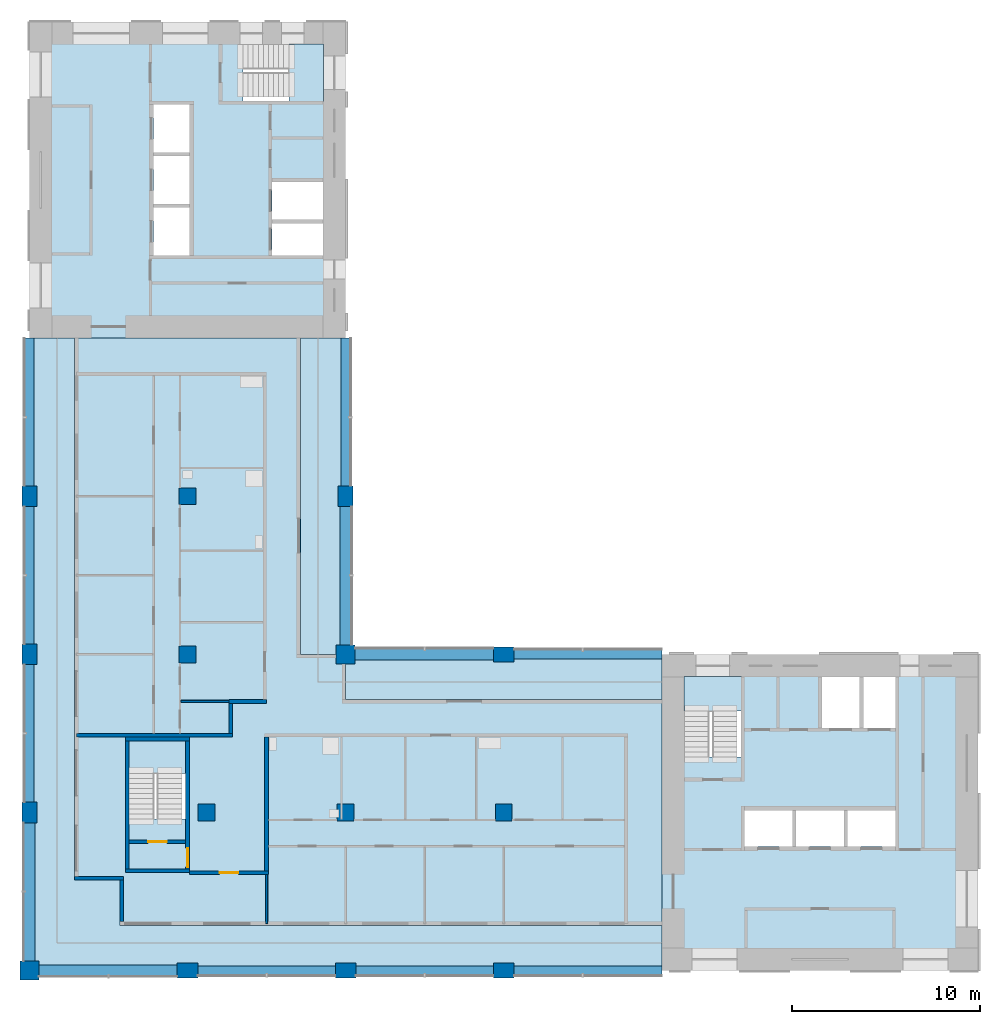
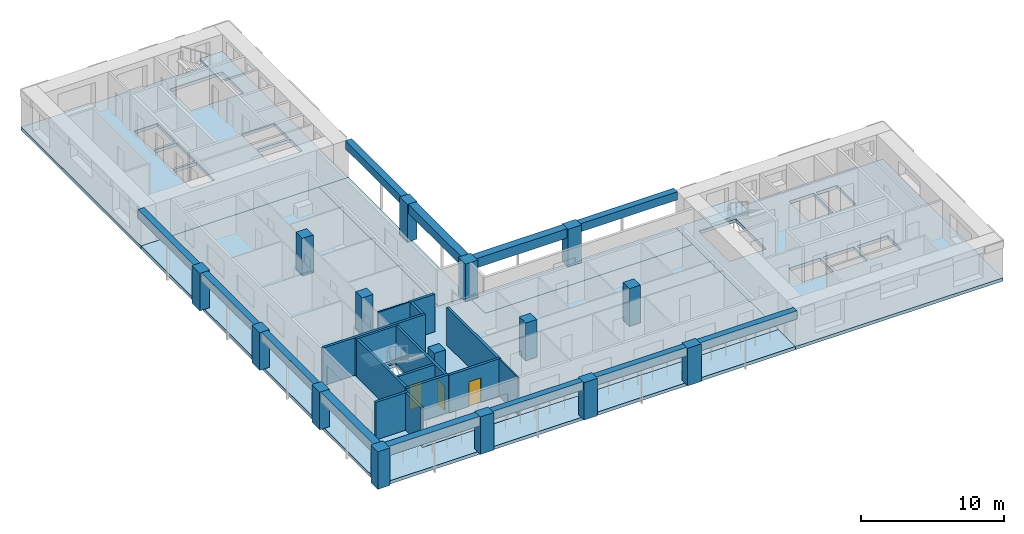
# One storey, part 1 of 9: 15 columns, 14 walls, 12 beams, 10 slabs, 3 doors, 3 openings, 3 elements without a shape of their own.
"""IFC4 building model written with IfcOpenShell, lengths in metres."""

import ifcopenshell
import ifcopenshell.guid

model = None  # the IFC model being written
_history = None  # IfcOwnerHistory: only IFC2X3 demands one
_inside = {}  # id of a spatial element -> (the spatial element, [elements in it])
_under = {}  # id of a project, library or spatial element -> (it, [spatial elements below it])
_declared = {}  # id of a project -> (the project, [libraries it declares])
_typed = {}  # id of a type object -> (the type object, [elements of that type])
_made_of = {}  # id of a material, layer set ... -> (it, [elements and type objects made of it])


def new_model(schema):
    """Start an empty IFC model of exactly this schema.

    Asked for "IFC4X3", IfcOpenShell would pick the latest addendum, in which some entities
    have other attributes; the version numbers below select the first issue.
    IFC2X3 requires an IfcOwnerHistory on every rooted entity: one is made here for all.
    """
    global model, _history
    if schema == "IFC4X3":
        model = ifcopenshell.file(schema_version=(4, 3, 0, 0))
    else:
        model = ifcopenshell.file(schema=schema)
    _inside.clear()
    _under.clear()
    _declared.clear()
    _typed.clear()
    _made_of.clear()
    _history = None
    if model.schema == "IFC2X3":
        org = make("IfcOrganization", Name="unknown")
        user = make(
            "IfcPersonAndOrganization",
            ThePerson=make("IfcPerson", FamilyName="unknown"),
            TheOrganization=org,
        )
        app = make(
            "IfcApplication",
            ApplicationDeveloper=org,
            Version="unknown",
            ApplicationFullName="unknown",
            ApplicationIdentifier="unknown",
        )
        _history = make(
            "IfcOwnerHistory",
            OwningUser=user,
            OwningApplication=app,
            ChangeAction="ADDED",
            CreationDate=0,
        )
    return model


def make(cls, **values):
    """One entity of the class cls with the attributes given. An attribute that is None is left unset."""
    return model.create_entity(
        cls, **{name: value for name, value in values.items() if value is not None}
    )


def rooted(cls, **values):
    """An entity with a GlobalId (a new one), such as an element, a storey or a relation."""
    return make(cls, GlobalId=ifcopenshell.guid.new(), OwnerHistory=_history, **values)


def si_unit(unit_type, name, prefix=None):
    """IfcSIUnit, for example si_unit("LENGTHUNIT", "METRE", prefix="MILLI")."""
    return make("IfcSIUnit", UnitType=unit_type, Prefix=prefix, Name=name)


def assignment(units):
    """IfcUnitAssignment: the units of a project."""
    return None if units is None else make("IfcUnitAssignment", Units=units)


def point(xyz):
    """IfcCartesianPoint."""
    return None if xyz is None else make("IfcCartesianPoint", Coordinates=xyz)


def direction(xyz):
    """IfcDirection."""
    return None if xyz is None else make("IfcDirection", DirectionRatios=xyz)


def frame(location, z_axis=None, x_axis=None):
    """IfcAxis2Placement3D, a coordinate frame: its origin and axes. An axis left out is left unset."""
    return make(
        "IfcAxis2Placement3D",
        Location=point(location),
        Axis=direction(z_axis),
        RefDirection=direction(x_axis),
    )


def frame_2d(location, x_axis=None):
    """IfcAxis2Placement2D, a coordinate frame in the plane: its origin and x axis."""
    return make(
        "IfcAxis2Placement2D", Location=point(location), RefDirection=direction(x_axis)
    )


def origin():
    """The frame at (0, 0, 0) with its axes left unset."""
    return frame((0.0, 0.0, 0.0))


def origin_2d():
    """The frame at (0, 0) in the plane with its x axis left unset."""
    return frame_2d((0.0, 0.0))


def place(relative_to, where):
    """IfcLocalPlacement: puts the frame where relative to a parent placement (None: the world)."""
    return make(
        "IfcLocalPlacement", PlacementRelTo=relative_to, RelativePlacement=where
    )


def context(
    kind, dimensions, precision=None, world=None, true_north=None, identifier=None
):
    """IfcGeometricRepresentationContext, for example the 3D "Model" context."""
    return make(
        "IfcGeometricRepresentationContext",
        ContextIdentifier=identifier,
        ContextType=kind,
        CoordinateSpaceDimension=dimensions,
        Precision=precision,
        WorldCoordinateSystem=world,
        TrueNorth=true_north,
    )


def subcontext(parent, identifier, kind, view, scale=None):
    """IfcGeometricRepresentationSubContext, for example "Body" below "Model"."""
    return make(
        "IfcGeometricRepresentationSubContext",
        ContextIdentifier=identifier,
        ContextType=kind,
        ParentContext=parent,
        TargetScale=scale,
        TargetView=view,
    )


def project(units=None, contexts=None):
    """IfcProject with its units and contexts."""
    return rooted(
        "IfcProject",
        Name="project",
        RepresentationContexts=contexts,
        UnitsInContext=assignment(units),
    )


def spatial(cls, under=None, at=None, **own):
    """A site, building, storey or space (cls), placed at a placement, below another one or the project."""
    s = rooted(cls, ObjectPlacement=at, **own)
    if under is not None:
        _under.setdefault(under.id(), (under, []))[1].append(s)
    return s


def polyline(points):
    """IfcPolyline through the points."""
    return make("IfcPolyline", Points=[point(p) for p in points])


def profile(cls, at=None, kind="AREA", **sizes):
    """A parametric profile (cls). Its sizes go by their IFC names, for example OverallWidth=200.0."""
    return make(cls, ProfileType=kind, Position=at, **sizes)


def rectangle(**sizes):
    """IfcRectangleProfileDef."""
    return profile("IfcRectangleProfileDef", **sizes)


def outline(outer, holes=None, kind="AREA"):
    """IfcArbitraryClosedProfileDef: a profile drawn as a closed curve; with holes, ...WithVoids."""
    if holes is None:
        return make("IfcArbitraryClosedProfileDef", ProfileType=kind, OuterCurve=outer)
    return make(
        "IfcArbitraryProfileDefWithVoids",
        ProfileType=kind,
        OuterCurve=outer,
        InnerCurves=holes,
    )


def extrude(swept, where, along, depth):
    """IfcExtrudedAreaSolid: the profile swept, set in the frame where, extruded along a direction by depth."""
    return make(
        "IfcExtrudedAreaSolid",
        SweptArea=swept,
        Position=where,
        ExtrudedDirection=direction(along),
        Depth=depth,
    )


def shape(context_of_items, identifier, shape_type, items):
    """IfcShapeRepresentation: the items that make up one representation, for example the "Body"."""
    return make(
        "IfcShapeRepresentation",
        ContextOfItems=context_of_items,
        RepresentationIdentifier=identifier,
        RepresentationType=shape_type,
        Items=items,
    )


def material(Name=None, Category=None):
    """IfcMaterial."""
    return make("IfcMaterial", Name=Name, Category=Category)


def layer(
    of_material, thickness, ventilated=None, Name=None, Category=None, Priority=None
):
    """IfcMaterialLayer: one layer of a wall or slab, of a material (None: an air gap)."""
    return make(
        "IfcMaterialLayer",
        Material=of_material,
        LayerThickness=thickness,
        IsVentilated=ventilated,
        Name=Name,
        Category=Category,
        Priority=Priority,
    )


def layer_set(layers, Name=None):
    """IfcMaterialLayerSet."""
    return make("IfcMaterialLayerSet", MaterialLayers=layers, LayerSetName=Name)


def material_profile(
    of_material, cross_section, Name=None, Category=None, Priority=None
):
    """IfcMaterialProfile: a cross section and its material."""
    return make(
        "IfcMaterialProfile",
        Name=Name,
        Material=of_material,
        Profile=cross_section,
        Priority=Priority,
        Category=Category,
    )


def profile_set(profiles, Name=None, composite=None):
    """IfcMaterialProfileSet."""
    return make(
        "IfcMaterialProfileSet",
        Name=Name,
        MaterialProfiles=profiles,
        CompositeProfile=composite,
    )


def made_of(thing, what):
    """Note that an element or type object is made of a material, layer set ...; save() writes the relation."""
    if what is not None:
        _made_of.setdefault(what.id(), (what, []))[1].append(thing)
    return thing


def type_object(cls, material=None, **own):
    """A type object (cls), such as IfcWallType, which elements share."""
    return made_of(rooted(cls, **own), material)


def element(
    cls,
    number,
    at=None,
    inside=None,
    cuts=None,
    type_object=None,
    material=None,
    context=None,
    identifier="Body",
    shape_type=None,
    held_by="IfcProductDefinitionShape",
    body=None,
    shapes=None,
    **own,
):
    """One element of the class cls, such as IfcWall. Its Tag is "e" and its number.

    at: its placement. inside: the storey or other place that contains it. cuts: it is an
    opening in that element (IfcRelVoidsElement). A single representation is given by context,
    identifier, shape_type and body (its items); several are given by shapes. held_by: the class
    of the entity that holds the representations. save() writes the other relations.
    """
    e = rooted(cls, Tag="e%d" % number, ObjectPlacement=at, **own)
    if body is not None:
        shapes = [shape(context, identifier, shape_type, body)]
    if shapes is not None:
        e.Representation = make(held_by, Representations=shapes)
    if inside is not None:
        _inside.setdefault(inside.id(), (inside, []))[1].append(e)
    if cuts is not None:
        rooted(
            "IfcRelVoidsElement", RelatingBuildingElement=cuts, RelatedOpeningElement=e
        )
    if type_object is not None:
        _typed.setdefault(type_object.id(), (type_object, []))[1].append(e)
    return made_of(e, material)


def fill(opening, filler):
    """IfcRelFillsElement: the door or window that sits in an opening."""
    return rooted(
        "IfcRelFillsElement",
        RelatingOpeningElement=opening,
        RelatedBuildingElement=filler,
    )


def aggregate(whole, parts):
    """IfcRelAggregates: a whole, such as a stair, and the parts it consists of."""
    return rooted("IfcRelAggregates", RelatingObject=whole, RelatedObjects=parts)


def save(model, path):
    """Write the relations noted so far, then the file.

    IfcRelAggregates (storeys below a building ...), IfcRelContainedInSpatialStructure (elements
    in a storey), IfcRelDefinesByType, IfcRelAssociatesMaterial and IfcRelDeclares: one each for
    every whole, place, type object, material and project.
    """
    for whole, parts in _under.values():
        aggregate(whole, parts)
    for where, things in _inside.values():
        rooted(
            "IfcRelContainedInSpatialStructure",
            RelatedElements=things,
            RelatingStructure=where,
        )
    for kind, things in _typed.values():
        rooted("IfcRelDefinesByType", RelatedObjects=things, RelatingType=kind)
    for what, things in _made_of.values():
        rooted("IfcRelAssociatesMaterial", RelatedObjects=things, RelatingMaterial=what)
    for by, libraries in _declared.values():
        rooted("IfcRelDeclares", RelatingContext=by, RelatedDefinitions=libraries)
    model.write(path)


model = new_model("IFC4")

# Units and contexts
model_context = context("Model", 3, precision=1e-05, world=origin(), true_north=direction((0.0, 1.0)))
body_context = subcontext(model_context, "Body", "Model", "MODEL_VIEW")
ifc_project = project(units=[si_unit("LENGTHUNIT", "METRE"), si_unit("AREAUNIT", "SQUARE_METRE"), si_unit("VOLUMEUNIT", "CUBIC_METRE"), si_unit("PLANEANGLEUNIT", "RADIAN"), si_unit("MASSUNIT", "GRAM", prefix="KILO")], contexts=[model_context])

# Site, building, storey
site_placement = place(None, origin())
site = spatial("IfcSite", under=ifc_project, at=site_placement, CompositionType="ELEMENT")
building_placement = place(site_placement, origin())
building = spatial("IfcBuilding", under=site, at=building_placement, Name="Vermilion Gate Residences", CompositionType="ELEMENT")
storey_placement = place(building_placement, frame((0.0, 0.0, 249.199951171875)))
storey = spatial("IfcBuildingStorey", under=building, at=storey_placement, Name="L65", CompositionType="ELEMENT", Elevation=249.199951171875)

# Columns
ifc_material_1 = material(Name="Concrete C50", Category="concrete")
ifc_material_profile_1 = material_profile(ifc_material_1, rectangle(XDim=1.0, YDim=1.0, at=origin_2d()), Name="RC-1000x1000")
ifc_profile_set_1 = profile_set([ifc_material_profile_1], Name="Concrete C50")
column_type_1 = type_object("IfcColumnType", Name="RC COLUMN 1000 X 1000 C50", PredefinedType="COLUMN", material=ifc_profile_set_1)
for number, where, z_axis, x_axis, name in (
    (1, (8.39990234375, 8.39990234375, 0.0), (0.0, 0.0, 1.0), (1.0, 0.0, 0.0), "Column 2-B L65"),
    (2, (25.199951171875, 25.199951171875, 0.0), (0.0, 0.0, 1.0), (1.0, 0.0, 0.0), "Column 4-D L65"),
):
    element("IfcColumn", number, at=place(storey_placement, frame(where, z_axis=z_axis, x_axis=x_axis)), inside=storey, type_object=column_type_1, Name=name, PredefinedType="COLUMN", context=body_context, shape_type="SweptSolid", body=[
        extrude(rectangle(XDim=1.0, YDim=1.0, at=origin_2d()), origin(), (0.0, 0.0, 1.0), 3.219970703125),
    ])
ifc_material_2 = material(Name="Concrete C50", Category="concrete")
ifc_material_profile_2 = material_profile(ifc_material_2, rectangle(XDim=1.10009765625, YDim=0.800048828125, at=origin_2d()), Name="RC-1100x800")
ifc_profile_set_2 = profile_set([ifc_material_profile_2], Name="Concrete C50")
column_type_2 = type_object("IfcColumnType", Name="RC COLUMN 1100 X 800 C50", PredefinedType="COLUMN", material=ifc_profile_set_2)
for number, where, z_axis, x_axis, name in (
    (3, (8.39990234375, 16.800048828125, 0.0), (0.0, 0.0, 1.0), (0.0, 1.0, 0.0), "Column 2-C L65"),
    (4, (8.39990234375, 25.199951171875, 0.0), (0.0, 0.0, 1.0), (0.0, 1.0, 0.0), "Column 2-D L65"),
    (5, (8.39990234375, 33.60009765625, 0.0), (0.0, 0.0, 1.0), (0.0, 1.0, 0.0), "Column 2-E L65"),
    (6, (16.800048828125, 8.39990234375, 0.0), (0.0, 0.0, 1.0), (1.0, 0.0, 0.0), "Column 3-B L65"),
    (7, (25.199951171875, 8.39990234375, 0.0), (0.0, 0.0, 1.0), (1.0, 0.0, 0.0), "Column 4-B L65"),
    (8, (25.199951171875, 33.60009765625, 0.0), (0.0, 0.0, 1.0), (0.0, 1.0, 0.0), "Column 4-E L65"),
    (9, (33.60009765625, 8.39990234375, 0.0), (0.0, 0.0, 1.0), (1.0, 0.0, 0.0), "Column 5-B L65"),
    (10, (33.60009765625, 25.199951171875, 0.0), (0.0, 0.0, 1.0), (1.0, 0.0, 0.0), "Column 5-D L65"),
):
    element("IfcColumn", number, at=place(storey_placement, frame(where, z_axis=z_axis, x_axis=x_axis)), inside=storey, type_object=column_type_2, Name=name, PredefinedType="COLUMN", context=body_context, shape_type="SweptSolid", body=[
        extrude(rectangle(XDim=1.10009765625, YDim=0.800048828125, at=origin_2d()), origin(), (0.0, 0.0, 1.0), 3.219970703125),
    ])
ifc_material_3 = material(Name="Concrete C50", Category="concrete")
ifc_material_profile_3 = material_profile(ifc_material_3, rectangle(XDim=0.89990234375, YDim=0.89990234375, at=origin_2d()), Name="RC-900x900")
ifc_profile_set_3 = profile_set([ifc_material_profile_3], Name="Concrete C50")
column_type_3 = type_object("IfcColumnType", Name="RC COLUMN 900 X 900 C50", PredefinedType="COLUMN", material=ifc_profile_set_3)
for number, where, z_axis, x_axis, name in (
    (11, (17.800048828125, 16.800048828125, 0.0), (0.0, 0.0, 1.0), (1.0, 0.0, 0.0), "Column 3-C L65"),
    (12, (16.800048828125, 25.199951171875, 0.0), (0.0, 0.0, 1.0), (1.0, 0.0, 0.0), "Column 3-D L65"),
    (13, (16.800048828125, 33.60009765625, 0.0), (0.0, 0.0, 1.0), (1.0, 0.0, 0.0), "Column 3-E L65"),
    (14, (25.199951171875, 16.800048828125, 0.0), (0.0, 0.0, 1.0), (1.0, 0.0, 0.0), "Column 4-C L65"),
    (15, (33.60009765625, 16.800048828125, 0.0), (0.0, 0.0, 1.0), (1.0, 0.0, 0.0), "Column 5-C L65"),
):
    element("IfcColumn", number, at=place(storey_placement, frame(where, z_axis=z_axis, x_axis=x_axis)), inside=storey, type_object=column_type_3, Name=name, PredefinedType="COLUMN", context=body_context, shape_type="SweptSolid", body=[
        extrude(rectangle(XDim=0.89990234375, YDim=0.89990234375, at=origin_2d()), origin(), (0.0, 0.0, 1.0), 3.219970703125),
    ])

# Beams
ifc_material_4 = material(Name="Concrete C60 red-oxide pigmented", Category="concrete")
ifc_material_profile_4 = material_profile(ifc_material_4, rectangle(XDim=0.60009765625, YDim=0.800048828125, at=origin_2d()), Name="RC-600x800")
ifc_profile_set_4 = profile_set([ifc_material_profile_4], Name="Concrete C60 red-oxide pigmented")
beam_type_1 = type_object("IfcBeamType", Name="RC CORNER EDGE BEAM 600 X 800 C60", PredefinedType="BEAM", material=ifc_profile_set_4)
for number, where, z_axis, x_axis, name in (
    (16, (8.89990234375, 8.39990234375, 2.820068359375), (1.0, 0.0, 0.0), (0.0, 1.0, 0.0), "Corner edge beam L65 1"),
    (17, (8.39990234375, 8.89990234375, 2.820068359375), (0.0, 1.0, 0.0), (-1.0, 0.0, 0.0), "Corner edge beam L65 2"),
    (18, (25.199951171875, 25.699951171875, 2.820068359375), (0.0, 1.0, 0.0), (-1.0, 0.0, 0.0), "Corner edge beam L65 7"),
    (19, (25.699951171875, 25.199951171875, 2.820068359375), (1.0, 0.0, 0.0), (0.0, 1.0, 0.0), "Corner edge beam L65 10"),
):
    element("IfcBeam", number, at=place(storey_placement, frame(where, z_axis=z_axis, x_axis=x_axis)), inside=storey, type_object=beam_type_1, Name=name, PredefinedType="BEAM", context=body_context, shape_type="SweptSolid", body=[
        extrude(rectangle(XDim=0.60009765625, YDim=0.800048828125, at=origin_2d()), origin(), (0.0, 0.0, 1.0), 7.35009765625),
    ])
ifc_material_5 = material(Name="Concrete C60 red-oxide pigmented", Category="concrete")
ifc_material_profile_5 = material_profile(ifc_material_5, rectangle(XDim=0.5, YDim=0.699951171875, at=origin_2d()), Name="RC-500x700")
ifc_profile_set_5 = profile_set([ifc_material_profile_5], Name="Concrete C60 red-oxide pigmented")
beam_type_2 = type_object("IfcBeamType", Name="RC EDGE BEAM 500 X 700 C60", PredefinedType="BEAM", material=ifc_profile_set_5)
beam_1_placement = place(storey_placement, frame((8.39990234375, 17.35009765625, 2.8701171875), z_axis=(0.0, 1.0, 0.0), x_axis=(-1.0, 0.0, 0.0)))
element("IfcBeam", 20, at=beam_1_placement, inside=storey, type_object=beam_type_2, Name="Edge beam L65 3", PredefinedType="BEAM", context=body_context, shape_type="SweptSolid", body=[
    extrude(rectangle(XDim=0.5, YDim=0.699951171875, at=origin_2d()), origin(), (0.0, 0.0, 1.0), 7.2998046875),
])
beam_2_placement = place(storey_placement, frame((8.39990234375, 25.75, 2.8701171875), z_axis=(0.0, 1.0, 0.0), x_axis=(-1.0, 0.0, 0.0)))
element("IfcBeam", 21, at=beam_2_placement, inside=storey, type_object=beam_type_2, Name="Edge beam L65 4", PredefinedType="BEAM", context=body_context, shape_type="SweptSolid", body=[
    extrude(rectangle(XDim=0.5, YDim=0.699951171875, at=origin_2d()), origin(), (0.0, 0.0, 1.0), 7.300048828125),
])
beam_3_placement = place(storey_placement, frame((8.39990234375, 34.14990234375, 2.8701171875), z_axis=(0.0, 1.0, 0.0), x_axis=(-1.0, 0.0, 0.0)))
element("IfcBeam", 22, at=beam_3_placement, inside=storey, type_object=beam_type_2, Name="Edge beam L65 5", PredefinedType="BEAM", context=body_context, shape_type="SweptSolid", body=[
    extrude(rectangle(XDim=0.5, YDim=0.699951171875, at=origin_2d()), origin(), (0.0, 0.0, 1.0), 7.85009765625),
])
beam_4_placement = place(storey_placement, frame((17.35009765625, 8.39990234375, 2.8701171875), z_axis=(1.0, 0.0, 0.0), x_axis=(0.0, 1.0, 0.0)))
element("IfcBeam", 23, at=beam_4_placement, inside=storey, type_object=beam_type_2, Name="Edge beam L65 6", PredefinedType="BEAM", context=body_context, shape_type="SweptSolid", body=[
    extrude(rectangle(XDim=0.5, YDim=0.699951171875, at=origin_2d()), origin(), (0.0, 0.0, 1.0), 7.2998046875),
])
beam_5_placement = place(storey_placement, frame((25.199951171875, 34.14990234375, 2.8701171875), z_axis=(0.0, 1.0, 0.0), x_axis=(-1.0, 0.0, 0.0)))
element("IfcBeam", 24, at=beam_5_placement, inside=storey, type_object=beam_type_2, Name="Edge beam L65 8", PredefinedType="BEAM", context=body_context, shape_type="SweptSolid", body=[
    extrude(rectangle(XDim=0.5, YDim=0.699951171875, at=origin_2d()), origin(), (0.0, 0.0, 1.0), 7.85009765625),
])
beam_6_placement = place(storey_placement, frame((25.75, 8.39990234375, 2.8701171875), z_axis=(1.0, 0.0, 0.0), x_axis=(0.0, 1.0, 0.0)))
element("IfcBeam", 25, at=beam_6_placement, inside=storey, type_object=beam_type_2, Name="Edge beam L65 9", PredefinedType="BEAM", context=body_context, shape_type="SweptSolid", body=[
    extrude(rectangle(XDim=0.5, YDim=0.699951171875, at=origin_2d()), origin(), (0.0, 0.0, 1.0), 7.300048828125),
])
for number, where, z_axis, x_axis, name in (
    (26, (34.14990234375, 8.39990234375, 2.8701171875), (1.0, 0.0, 0.0), (0.0, 1.0, 0.0), "Edge beam L65 11"),
    (27, (34.14990234375, 25.199951171875, 2.8701171875), (1.0, 0.0, 0.0), (0.0, 1.0, 0.0), "Edge beam L65 12"),
):
    element("IfcBeam", number, at=place(storey_placement, frame(where, z_axis=z_axis, x_axis=x_axis)), inside=storey, type_object=beam_type_2, Name=name, PredefinedType="BEAM", context=body_context, shape_type="SweptSolid", body=[
        extrude(rectangle(XDim=0.5, YDim=0.699951171875, at=origin_2d()), origin(), (0.0, 0.0, 1.0), 7.85009765625),
    ])

# Slabs
ifc_material_6 = material(Name="Concrete C50", Category="concrete")
ifc_layer_1 = layer(ifc_material_6, 0.280029296875)
ifc_layer_set_1 = layer_set([ifc_layer_1], Name="RC CORE FLOOR SLAB 280 C50")
slab_type_1 = type_object("IfcSlabType", Name="RC CORE FLOOR SLAB 280 C50", PredefinedType="FLOOR", material=ifc_layer_set_1)
slab_1_placement = place(storey_placement, frame((0.0, 0.0, -0.280029296875)))
element("IfcSlab", 28, at=slab_1_placement, inside=storey, type_object=slab_type_1, Name="Core floor slab A65", PredefinedType="FLOOR", context=body_context, shape_type="SweptSolid", body=[
    extrude(outline(polyline([(42.0, 8.39990234375), (58.800048828125, 8.39990234375), (58.800048828125, 25.199951171875), (42.0, 25.199951171875), (42.0, 8.39990234375)]), holes=[polyline([(46.39990234375, 15.0), (46.39990234375, 16.89990234375), (48.933349609375, 16.89990234375), (48.933349609375, 15.0), (46.39990234375, 15.0)]), polyline([(49.13330078125, 16.89990234375), (51.666748046875, 16.89990234375), (51.666748046875, 15.0), (49.13330078125, 15.0), (49.13330078125, 16.89990234375)]), polyline([(51.86669921875, 16.89990234375), (54.39990234375, 16.89990234375), (54.39990234375, 15.0), (51.86669921875, 15.0), (51.86669921875, 16.89990234375)]), polyline([(43.199951171875, 19.75), (43.199951171875, 24.0), (46.199951171875, 24.0), (46.199951171875, 19.75), (43.199951171875, 19.75)]), polyline([(50.5, 24.0), (52.5, 24.0), (52.5, 21.300048828125), (50.5, 21.300048828125), (50.5, 24.0)]), polyline([(52.699951171875, 24.0), (54.39990234375, 24.0), (54.39990234375, 21.300048828125), (52.699951171875, 21.300048828125), (52.699951171875, 24.0)])]), origin(), (0.0, 0.0, 1.0), 0.280029296875),
])
slab_2_placement = place(storey_placement, frame((0.0, 0.0, -0.280029296875)))
element("IfcSlab", 29, at=slab_2_placement, inside=storey, type_object=slab_type_1, Name="Core floor slab B65", PredefinedType="FLOOR", context=body_context, shape_type="SweptSolid", body=[
    extrude(outline(polyline([(8.39990234375, 42.0), (25.199951171875, 42.0), (25.199951171875, 58.800048828125), (8.39990234375, 58.800048828125), (8.39990234375, 42.0)]), holes=[polyline([(21.300048828125, 46.39990234375), (21.300048828125, 48.10009765625), (24.0, 48.10009765625), (24.0, 46.39990234375), (21.300048828125, 46.39990234375)]), polyline([(15.0, 48.933349609375), (16.89990234375, 48.933349609375), (16.89990234375, 46.39990234375), (15.0, 46.39990234375), (15.0, 48.933349609375)]), polyline([(21.300048828125, 50.300048828125), (24.0, 50.300048828125), (24.0, 48.300048828125), (21.300048828125, 48.300048828125), (21.300048828125, 50.300048828125)]), polyline([(15.0, 49.13330078125), (15.0, 51.666748046875), (16.89990234375, 51.666748046875), (16.89990234375, 49.13330078125), (15.0, 49.13330078125)]), polyline([(15.0, 54.39990234375), (16.89990234375, 54.39990234375), (16.89990234375, 51.86669921875), (15.0, 51.86669921875), (15.0, 54.39990234375)]), polyline([(19.75, 57.60009765625), (24.0, 57.60009765625), (24.0, 54.60009765625), (19.75, 54.60009765625), (19.75, 57.60009765625)])]), origin(), (0.0, 0.0, 1.0), 0.280029296875),
])
slab_3_placement = place(storey_placement, frame((0.0, 0.0, -0.280029296875)))
element("IfcSlab", 30, at=slab_3_placement, inside=storey, type_object=slab_type_1, Name="Apex stair floor slab 65", PredefinedType="FLOOR", context=body_context, shape_type="SweptSolid", body=[
    extrude(outline(polyline([(13.5, 13.60009765625), (16.89990234375, 13.60009765625), (16.89990234375, 20.800048828125), (13.5, 20.800048828125), (13.5, 13.60009765625)]), holes=[polyline([(16.699951171875, 20.60009765625), (16.699951171875, 16.449951171875), (13.699951171875, 16.449951171875), (13.699951171875, 20.60009765625), (16.699951171875, 20.60009765625)])]), origin(), (0.0, 0.0, 1.0), 0.280029296875),
])
ifc_material_7 = material(Name="Concrete C50", Category="concrete")
ifc_layer_2 = layer(ifc_material_7, 0.280029296875)
ifc_layer_set_2 = layer_set([ifc_layer_2], Name="RC FLAT PLATE 280 C50")
slab_type_2 = type_object("IfcSlabType", Name="RC FLAT PLATE 280 C50", PredefinedType="FLOOR", material=ifc_layer_set_2)
slab_4_placement = place(storey_placement, frame((0.0, 0.0, -0.280029296875)))
element("IfcSlab", 31, at=slab_4_placement, inside=storey, type_object=slab_type_2, Name="Floor slab L65", PredefinedType="FLOOR", context=body_context, shape_type="SweptSolid", body=[
    extrude(outline(polyline([(22.800048828125, 25.199951171875), (22.800048828125, 42.0), (10.800048828125, 42.0), (10.800048828125, 13.199951171875), (13.199951171875, 13.199951171875), (13.199951171875, 10.800048828125), (42.0, 10.800048828125), (42.0, 22.800048828125), (25.199951171875, 22.800048828125), (25.199951171875, 25.199951171875), (22.800048828125, 25.199951171875)]), holes=[polyline([(13.5, 13.60009765625), (13.5, 20.800048828125), (16.89990234375, 20.800048828125), (16.89990234375, 13.60009765625), (13.5, 13.60009765625)])]), origin(), (0.0, 0.0, 1.0), 0.280029296875),
])
ifc_material_8 = material(Name="Concrete C50 red-oxide pigmented", Category="concrete")
ifc_layer_3 = layer(ifc_material_8, 0.280029296875)
ifc_layer_set_3 = layer_set([ifc_layer_3], Name="RC LOGGIA SLAB 280 C50")
slab_type_3 = type_object("IfcSlabType", Name="RC LOGGIA SLAB 280 C50", PredefinedType="FLOOR", material=ifc_layer_set_3)
slab_5_placement = place(storey_placement, frame((0.0, 0.0, -0.280029296875)))
element("IfcSlab", 32, at=slab_5_placement, inside=storey, type_object=slab_type_3, Name="Loggia slab L65", PredefinedType="FLOOR", context=body_context, shape_type="SweptSolid", body=[
    extrude(outline(polyline([(8.39990234375, 8.39990234375), (42.0, 8.39990234375), (42.0, 10.800048828125), (13.199951171875, 10.800048828125), (13.199951171875, 13.199951171875), (10.800048828125, 13.199951171875), (10.800048828125, 42.0), (8.39990234375, 42.0), (8.39990234375, 8.39990234375)])), origin(), (0.0, 0.0, 1.0), 0.280029296875),
])
slab_6_placement = place(storey_placement, frame((0.0, 0.0, -0.280029296875)))
element("IfcSlab", 33, at=slab_6_placement, inside=storey, type_object=slab_type_3, Name="Loggia slab L65", PredefinedType="FLOOR", context=body_context, shape_type="SweptSolid", body=[
    extrude(outline(polyline([(25.199951171875, 22.800048828125), (42.0, 22.800048828125), (42.0, 25.199951171875), (25.199951171875, 25.199951171875), (25.199951171875, 22.800048828125)])), origin(), (0.0, 0.0, 1.0), 0.280029296875),
])
slab_7_placement = place(storey_placement, frame((0.0, 0.0, -0.280029296875)))
element("IfcSlab", 34, at=slab_7_placement, inside=storey, type_object=slab_type_3, Name="Loggia slab L65", PredefinedType="FLOOR", context=body_context, shape_type="SweptSolid", body=[
    extrude(outline(polyline([(25.199951171875, 42.0), (22.800048828125, 42.0), (22.800048828125, 25.199951171875), (25.199951171875, 25.199951171875), (25.199951171875, 42.0)])), origin(), (0.0, 0.0, 1.0), 0.280029296875),
])

# Stair, slab
ifc_material_9 = material(Name="Concrete C50", Category="concrete")
stair_type = type_object("IfcStairType", Name="SPECIAL ESCAPE STAIR 1300", PredefinedType="HALF_TURN_STAIR", material=ifc_material_9)
stair_1_placement = place(storey_placement, origin())
stair_1 = element("IfcStair", 35, at=stair_1_placement, inside=storey, type_object=stair_type, Name="Special escape stair STA1-65", PredefinedType="HALF_TURN_STAIR")
ifc_material_10 = material(Name="Concrete C50", Category="concrete")
ifc_layer_4 = layer(ifc_material_10, 0.199951171875)
ifc_layer_set_4 = layer_set([ifc_layer_4], Name="STAIR LANDING 200 C50")
slab_type_4 = type_object("IfcSlabType", Name="STAIR LANDING 200 C50", PredefinedType="LANDING", material=ifc_layer_set_4)
slab_8_placement = place(storey_placement, frame((0.0, 0.0, 1.550048828125)))
slab_8 = element("IfcSlab", 36, at=slab_8_placement, type_object=slab_type_4, Name="STA1-65 landing 1", PredefinedType="LANDING", context=body_context, shape_type="SweptSolid", body=[
    extrude(outline(polyline([(46.219970703125, 22.179931640625), (46.219970703125, 24.02001953125), (43.179931640625, 24.02001953125), (43.179931640625, 22.179931640625), (46.219970703125, 22.179931640625)])), origin(), (0.0, 0.0, 1.0), 0.199951171875),
])
aggregate(stair_1, [slab_8])

stair_2_placement = place(storey_placement, origin())
stair_2 = element("IfcStair", 37, at=stair_2_placement, inside=storey, type_object=stair_type, Name="Special escape stair STB1-65", PredefinedType="HALF_TURN_STAIR")
slab_9_placement = place(storey_placement, frame((0.0, 0.0, 1.550048828125)))
slab_9 = element("IfcSlab", 38, at=slab_9_placement, type_object=slab_type_4, Name="STB1-65 landing 1", PredefinedType="LANDING", context=body_context, shape_type="SweptSolid", body=[
    extrude(outline(polyline([(24.02001953125, 54.580078125), (24.02001953125, 57.6201171875), (22.179931640625, 57.6201171875), (22.179931640625, 54.580078125), (24.02001953125, 54.580078125)])), origin(), (0.0, 0.0, 1.0), 0.199951171875),
])
aggregate(stair_2, [slab_9])

stair_3_placement = place(storey_placement, origin())
stair_3 = element("IfcStair", 39, at=stair_3_placement, inside=storey, type_object=stair_type, Name="Special escape stair STC1-65", PredefinedType="HALF_TURN_STAIR")
slab_10_placement = place(storey_placement, frame((0.0, 0.0, 1.550048828125)))
slab_10 = element("IfcSlab", 40, at=slab_10_placement, type_object=slab_type_4, Name="STC1-65 landing 1", PredefinedType="LANDING", context=body_context, shape_type="SweptSolid", body=[
    extrude(outline(polyline([(16.719970703125, 18.8798828125), (16.719970703125, 20.6201171875), (13.679931640625, 20.6201171875), (13.679931640625, 18.8798828125), (16.719970703125, 18.8798828125)])), origin(), (0.0, 0.0, 1.0), 0.199951171875),
])
aggregate(stair_3, [slab_10])

# Walls
ifc_material_11 = material(Name="Insulated steel stud wall with terracotta rainscreen", Category="masonry")
ifc_layer_5 = layer(ifc_material_11, 0.199951171875)
ifc_layer_set_5 = layer_set([ifc_layer_5], Name="EXTERNAL WALL 200 TERRACOTTA RAINSCREEN")
wall_type_1 = type_object("IfcWallType", Name="EXTERNAL WALL 200 TERRACOTTA RAINSCREEN", PredefinedType="SOLIDWALL", material=ifc_layer_set_5)
wall_1_placement = place(storey_placement, frame((10.800048828125, 13.300048828125, 0.0), z_axis=(0.0, 0.0, 1.0), x_axis=(1.0, 0.0, 0.0)))
element("IfcWall", 41, at=wall_1_placement, inside=storey, type_object=wall_type_1, Name="External wall", PredefinedType="SOLIDWALL", context=body_context, shape_type="SweptSolid", body=[
    extrude(rectangle(XDim=2.599853515625, YDim=0.199951171875, at=frame_2d((1.2998046875, 0.0))), origin(), (0.0, 0.0, 1.0), 3.219970703125),
])
wall_2_placement = place(storey_placement, frame((13.300048828125, 13.199951171875, 0.0), z_axis=(0.0, 0.0, 1.0), x_axis=(0.0, -1.0, 0.0)))
element("IfcWall", 42, at=wall_2_placement, inside=storey, type_object=wall_type_1, Name="External wall", PredefinedType="SOLIDWALL", context=body_context, shape_type="SweptSolid", body=[
    extrude(rectangle(XDim=2.199951171875, YDim=0.199951171875, at=frame_2d((1.10009765625, 0.0))), origin(), (0.0, 0.0, 1.0), 3.219970703125),
])
ifc_material_12 = material(Name="Plasterboard on steel studs", Category="steel")
ifc_layer_6 = layer(ifc_material_12, 0.10009765625)
ifc_layer_set_6 = layer_set([ifc_layer_6], Name="PARTITION 100")
wall_type_2 = type_object("IfcWallType", Name="PARTITION 100", PredefinedType="PARTITIONING", material=ifc_layer_set_6)
wall_3_placement = place(storey_placement, frame((16.449951171875, 22.699951171875, 0.0), z_axis=(0.0, 0.0, 1.0), x_axis=(1.0, 0.0, 0.0)))
element("IfcWall", 43, at=wall_3_placement, inside=storey, type_object=wall_type_2, Name="Partition", PredefinedType="PARTITIONING", context=body_context, shape_type="SweptSolid", body=[
    extrude(rectangle(XDim=2.550048828125, YDim=0.10009765625, at=frame_2d((1.27490234375, 0.0))), origin(), (0.0, 0.0, 1.0), 3.219970703125),
])
wall_4_placement = place(storey_placement, frame((21.0, 10.89990234375, 0.0), z_axis=(0.0, 0.0, 1.0), x_axis=(0.0, 1.0, 0.0)))
element("IfcWall", 44, at=wall_4_placement, inside=storey, type_object=wall_type_2, Name="Partition", PredefinedType="PARTITIONING", context=body_context, shape_type="SweptSolid", body=[
    extrude(rectangle(XDim=2.60009765625, YDim=0.10009765625, at=frame_2d((1.300048828125, 0.0))), origin(), (0.0, 0.0, 1.0), 3.219970703125),
])

# Wall, opening, door
ifc_material_13 = material(Name="Fire-rated plasterboard on steel studs", Category="steel")
ifc_layer_7 = layer(ifc_material_13, 0.199951171875)
ifc_layer_set_7 = layer_set([ifc_layer_7], Name="PARTY WALL 200 EI 120")
wall_type_3 = type_object("IfcWallType", Name="PARTY WALL 200 EI 120", PredefinedType="PARTITIONING", material=ifc_layer_set_7)
wall_5_placement = place(storey_placement, frame((16.89990234375, 13.60009765625, 0.0), z_axis=(0.0, 0.0, 1.0), x_axis=(1.0, 0.0, 0.0)))
wall_5 = element("IfcWall", 45, at=wall_5_placement, inside=storey, type_object=wall_type_3, Name="Party and corridor wall", PredefinedType="PARTITIONING", context=body_context, shape_type="SweptSolid", body=[
    extrude(rectangle(XDim=4.2001953125, YDim=0.199951171875, at=frame_2d((2.10009765625, 0.0))), origin(), (0.0, 0.0, 1.0), 3.219970703125),
])
opening_1_placement = place(wall_5_placement, frame((1.60009765625, 0.0, 0.0)))
opening_1 = element("IfcOpeningElement", 46, at=opening_1_placement, cuts=wall_5, Name="Opening DA64001", PredefinedType="OPENING", context=body_context, shape_type="SweptSolid", body=[
    extrude(rectangle(XDim=1.0, YDim=2.10009765625, at=frame_2d((0.5, 1.050048828125))), frame((0.0, 0.10986328125, 0.0), z_axis=(0.0, -1.0, 0.0), x_axis=(1.0, 0.0, 0.0)), (0.0, 0.0, 1.0), 0.219970703125),
])
ifc_material_14 = material(Name="Steel", Category="steel")
door_type_1 = type_object("IfcDoorType", Name="ENTRANCE DOOR 1000 X 2100 FD30", OperationType="SINGLE_SWING_LEFT", PredefinedType="DOOR", material=ifc_material_14)
door_1_placement = place(opening_1_placement, frame((1.0, 0.0, 0.0), z_axis=(0.0, 0.0, 1.0), x_axis=(-1.0, 0.0, 0.0)))
door_1 = element("IfcDoor", 47, at=door_1_placement, inside=storey, type_object=door_type_1, Name="Entrance door", OperationType="SINGLE_SWING_LEFT", OverallHeight=2.10009765625, OverallWidth=1.0, PredefinedType="DOOR", context=body_context, shape_type="SweptSolid", body=[
    extrude(rectangle(XDim=1.0, YDim=2.10009765625, at=frame_2d((0.5, 1.050048828125))), frame((0.0, 0.02490234375, 0.0), z_axis=(0.0, -1.0, 0.0), x_axis=(1.0, 0.0, 0.0)), (0.0, 0.0, 1.0), 0.050048828125),
])
fill(opening_1, door_1)

# Walls
wall_6_placement = place(storey_placement, frame((10.89990234375, 20.89990234375, 0.0), z_axis=(0.0, 0.0, 1.0), x_axis=(1.0, 0.0, 0.0)))
element("IfcWall", 48, at=wall_6_placement, inside=storey, type_object=wall_type_3, Name="Party and corridor wall", PredefinedType="PARTITIONING", context=body_context, shape_type="SweptSolid", body=[
    extrude(rectangle(XDim=8.300048828125, YDim=0.199951171875, at=frame_2d((4.14990234375, 0.0))), origin(), (0.0, 0.0, 1.0), 3.219970703125),
])
wall_7_placement = place(storey_placement, frame((19.0, 22.699951171875, 0.0), z_axis=(0.0, 0.0, 1.0), x_axis=(1.0, 0.0, 0.0)))
element("IfcWall", 49, at=wall_7_placement, inside=storey, type_object=wall_type_3, Name="Party and corridor wall", PredefinedType="PARTITIONING", context=body_context, shape_type="SweptSolid", body=[
    extrude(rectangle(XDim=2.0, YDim=0.199951171875, at=frame_2d((1.0, 0.0))), origin(), (0.0, 0.0, 1.0), 3.219970703125),
])
wall_8_placement = place(storey_placement, frame((19.10009765625, 21.0, 0.0), z_axis=(0.0, 0.0, 1.0), x_axis=(0.0, 1.0, 0.0)))
element("IfcWall", 50, at=wall_8_placement, inside=storey, type_object=wall_type_3, Name="Party and corridor wall", PredefinedType="PARTITIONING", context=body_context, shape_type="SweptSolid", body=[
    extrude(rectangle(XDim=1.60009765625, YDim=0.199951171875, at=frame_2d((0.800048828125, 0.0))), origin(), (0.0, 0.0, 1.0), 3.219970703125),
])
wall_9_placement = place(storey_placement, frame((21.0, 13.699951171875, 0.0), z_axis=(0.0, 0.0, 1.0), x_axis=(0.0, 1.0, 0.0)))
element("IfcWall", 51, at=wall_9_placement, inside=storey, type_object=wall_type_3, Name="Party and corridor wall", PredefinedType="PARTITIONING", context=body_context, shape_type="SweptSolid", body=[
    extrude(rectangle(XDim=7.10009765625, YDim=0.199951171875, at=frame_2d((3.550048828125, 0.0))), origin(), (0.0, 0.0, 1.0), 3.219970703125),
])
ifc_material_15 = material(Name="Concrete C60", Category="concrete")
ifc_layer_8 = layer(ifc_material_15, 0.199951171875)
ifc_layer_set_8 = layer_set([ifc_layer_8], Name="RC CORE INTERNAL WALL 200 C60")
wall_type_4 = type_object("IfcWallType", Name="RC CORE INTERNAL WALL 200 C60", PredefinedType="SHEAR", material=ifc_layer_set_8)
wall_10_placement = place(storey_placement, frame((13.60009765625, 13.800048828125, 0.0), z_axis=(0.0, 0.0, 1.0), x_axis=(0.0, 1.0, 0.0)))
element("IfcWall", 52, at=wall_10_placement, inside=storey, type_object=wall_type_4, Name="Core internal wall C65-W", PredefinedType="SHEAR", context=body_context, shape_type="SweptSolid", body=[
    extrude(rectangle(XDim=6.800048828125, YDim=0.199951171875, at=frame_2d((3.39990234375, 0.0))), origin(), (0.0, 0.0, 1.0), 3.219970703125),
])

# Wall, opening, door
wall_11_placement = place(storey_placement, frame((16.800048828125, 13.800048828125, 0.0), z_axis=(0.0, 0.0, 1.0), x_axis=(0.0, 1.0, 0.0)))
wall_11 = element("IfcWall", 53, at=wall_11_placement, inside=storey, type_object=wall_type_4, Name="Core internal wall C65-E", PredefinedType="SHEAR", context=body_context, shape_type="SweptSolid", body=[
    extrude(rectangle(XDim=6.800048828125, YDim=0.199951171875, at=frame_2d((3.39990234375, 0.0))), origin(), (0.0, 0.0, 1.0), 3.219970703125),
])
opening_2_placement = place(wall_11_placement, frame((0.10009765625, 0.0, 0.0)))
opening_2 = element("IfcOpeningElement", 54, at=opening_2_placement, cuts=wall_11, Name="Opening DK65201", PredefinedType="OPENING", context=body_context, shape_type="SweptSolid", body=[
    extrude(rectangle(XDim=1.0, YDim=2.10009765625, at=frame_2d((0.5, 1.050048828125))), frame((0.0, 0.10986328125, 0.0), z_axis=(0.0, -1.0, 0.0), x_axis=(1.0, 0.0, 0.0)), (0.0, 0.0, 1.0), 0.219970703125),
])
ifc_material_16 = material(Name="Steel", Category="steel")
door_type_2 = type_object("IfcDoorType", Name="FIRE DOOR FD60 1000 X 2100", OperationType="SINGLE_SWING_LEFT", PredefinedType="DOOR", material=ifc_material_16)
door_2_placement = place(opening_2_placement, frame((1.0, 0.0, 0.0), z_axis=(0.0, 0.0, 1.0), x_axis=(-1.0, 0.0, 0.0)))
door_2 = element("IfcDoor", 55, at=door_2_placement, inside=storey, type_object=door_type_2, Name="Stair vestibule door C65", OperationType="SINGLE_SWING_RIGHT", OverallHeight=2.10009765625, OverallWidth=1.0, PredefinedType="DOOR", context=body_context, shape_type="SweptSolid", body=[
    extrude(rectangle(XDim=1.0, YDim=2.10009765625, at=frame_2d((0.5, 1.050048828125))), frame((0.0, 0.02490234375, 0.0), z_axis=(0.0, -1.0, 0.0), x_axis=(1.0, 0.0, 0.0)), (0.0, 0.0, 1.0), 0.050048828125),
])
fill(opening_2, door_2)

# Walls
for number, where, z_axis, x_axis, name in (
    (56, (13.5, 13.699951171875, 0.0), (0.0, 0.0, 1.0), (1.0, 0.0, 0.0), "Core internal wall C65-S"),
    (57, (13.5, 20.699951171875, 0.0), (0.0, 0.0, 1.0), (1.0, 0.0, 0.0), "Core internal wall C65-N"),
):
    element("IfcWall", number, at=place(storey_placement, frame(where, z_axis=z_axis, x_axis=x_axis)), inside=storey, type_object=wall_type_4, Name=name, PredefinedType="SHEAR", context=body_context, shape_type="SweptSolid", body=[
        extrude(rectangle(XDim=3.39990234375, YDim=0.199951171875, at=frame_2d((1.699951171875, 0.0))), origin(), (0.0, 0.0, 1.0), 3.219970703125),
    ])

# Wall, opening, door
wall_12_placement = place(storey_placement, frame((13.699951171875, 15.25, 0.0), z_axis=(0.0, 0.0, 1.0), x_axis=(1.0, 0.0, 0.0)))
wall_12 = element("IfcWall", 58, at=wall_12_placement, inside=storey, type_object=wall_type_4, Name="Core internal wall C65-P", PredefinedType="SHEAR", context=body_context, shape_type="SweptSolid", body=[
    extrude(rectangle(XDim=3.0, YDim=0.199951171875, at=frame_2d((1.5, 0.0))), origin(), (0.0, 0.0, 1.0), 3.219970703125),
])
opening_3_placement = place(wall_12_placement, frame((1.0, 0.0, 0.0)))
opening_3 = element("IfcOpeningElement", 59, at=opening_3_placement, cuts=wall_12, Name="Opening DK65202", PredefinedType="OPENING", context=body_context, shape_type="SweptSolid", body=[
    extrude(rectangle(XDim=1.0, YDim=2.10009765625, at=frame_2d((0.5, 1.050048828125))), frame((0.0, 0.10986328125, 0.0), z_axis=(0.0, -1.0, 0.0), x_axis=(1.0, 0.0, 0.0)), (0.0, 0.0, 1.0), 0.219970703125),
])
door_3_placement = place(opening_3_placement, origin())
door_3 = element("IfcDoor", 60, at=door_3_placement, inside=storey, type_object=door_type_2, Name="Stair door C65", OperationType="SINGLE_SWING_LEFT", OverallHeight=2.10009765625, OverallWidth=1.0, PredefinedType="DOOR", context=body_context, shape_type="SweptSolid", body=[
    extrude(rectangle(XDim=1.0, YDim=2.10009765625, at=frame_2d((0.5, 1.050048828125))), frame((0.0, 0.02490234375, 0.0), z_axis=(0.0, -1.0, 0.0), x_axis=(1.0, 0.0, 0.0)), (0.0, 0.0, 1.0), 0.050048828125),
])
fill(opening_3, door_3)

save(model, "model.ifc")
